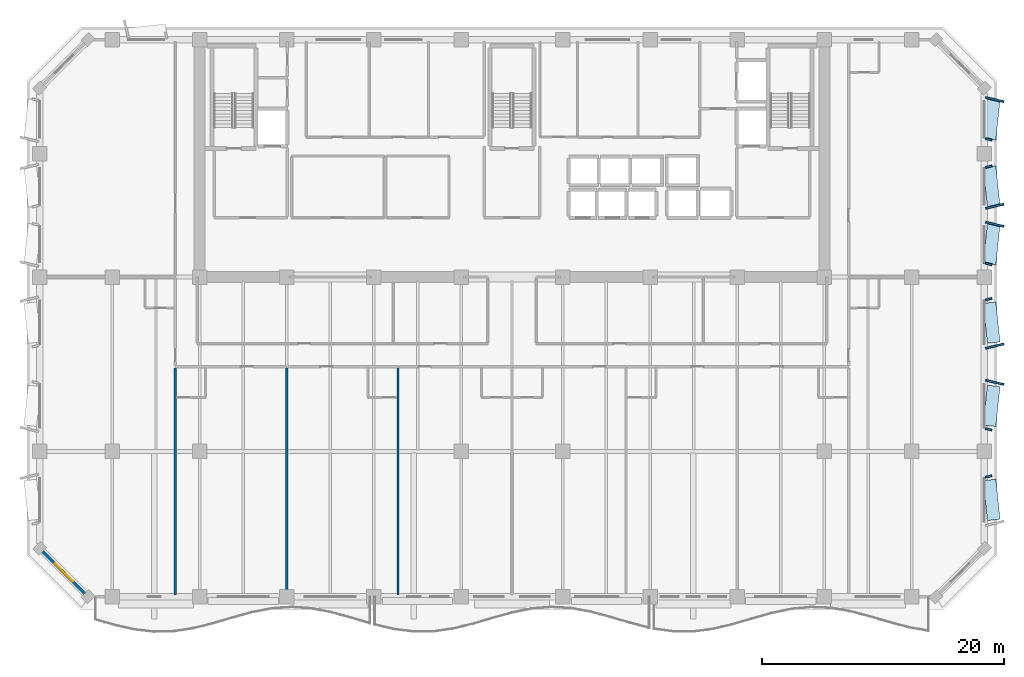
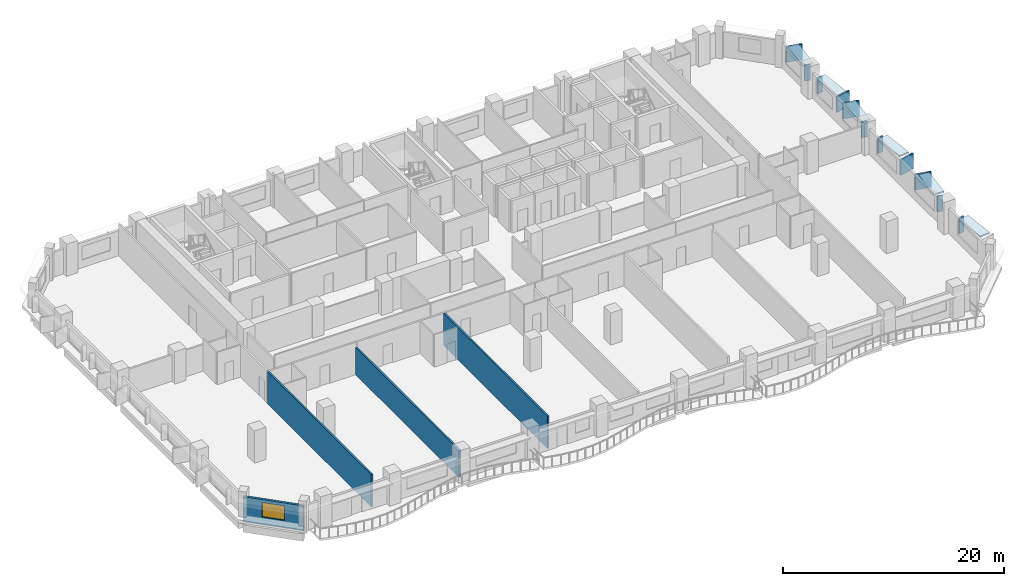
# One storey, part 3 of 14: 17 plates, 4 walls, 1 window, 1 opening.
"""IFC4 building model written with IfcOpenShell, lengths in metres."""

from ifc_helpers import new_model, si_unit, direction, frame, frame_2d, origin, origin_2d, place, context, subcontext, project, spatial, rectangle, extrude, material, layer, layer_set, type_object, element, fill, save


model = new_model("IFC4")

# Units and contexts
model_context = context("Model", 3, precision=1e-05, world=origin(), true_north=direction((0.0, 1.0)))
body_context = subcontext(model_context, "Body", "Model", "MODEL_VIEW")
ifc_project = project(units=[si_unit("LENGTHUNIT", "METRE"), si_unit("AREAUNIT", "SQUARE_METRE"), si_unit("VOLUMEUNIT", "CUBIC_METRE"), si_unit("PLANEANGLEUNIT", "RADIAN"), si_unit("MASSUNIT", "GRAM", prefix="KILO")], contexts=[model_context])

# Site, building, storey
site_placement = place(None, origin())
site = spatial("IfcSite", under=ifc_project, at=site_placement, CompositionType="ELEMENT")
building_placement = place(site_placement, origin())
building = spatial("IfcBuilding", under=site, at=building_placement, Name="Kaelvorn Grand Hotel", CompositionType="ELEMENT")
storey_placement = place(building_placement, frame((0.0, 0.0, 190.14990234375)))
storey = spatial("IfcBuildingStorey", under=building, at=storey_placement, Name="L46", CompositionType="ELEMENT", Elevation=190.14990234375)

# Plates
ifc_material_1 = material(Name="Precast concrete C45/55", Category="concrete")
ifc_layer_1 = layer(ifc_material_1, 0.159912109375)
ifc_layer_set_1 = layer_set([ifc_layer_1], Name="Precast concrete C45/55")
plate_type_1 = type_object("IfcPlateType", Name="PL-FRAME-DEEP-1550", PredefinedType="USERDEFINED", material=ifc_layer_set_1)
for number, where, z_axis, x_axis, name in (
    (1, (81.85498046875, 20.705078125, 0.81494140625), (0.0, 0.0, 1.0), (0.233445363856, 0.972369920398, 0.0), "L46 Tilted Precast Window Frame Fin R-E02"),
    (2, (81.85498046875, 23.695068359375, 0.81494140625), (0.0, 0.0, 1.0), (-0.233445363856, 0.972369920398, 0.0), "L46 Tilted Precast Window Frame Fin L-E03"),
    (3, (81.85498046875, 33.7548828125, 0.740234375), (0.0, 0.0, 1.0), (0.233445363856, 0.972369920398, 0.0), "L46 Tilted Precast Window Frame Fin R-E04"),
    (4, (81.85498046875, 35.2451171875, 0.740234375), (0.0, 0.0, 1.0), (-0.233445363856, 0.972369920398, 0.0), "L46 Tilted Precast Window Frame Fin L-E05"),
    (5, (81.85498046875, 44.054931640625, 0.740234375), (0.0, 0.0, 1.0), (0.233445363856, 0.972369920398, 0.0), "L46 Tilted Precast Window Frame Fin R-E06"),
):
    element("IfcPlate", number, at=place(storey_placement, frame(where, z_axis=z_axis, x_axis=x_axis)), inside=storey, type_object=plate_type_1, Name=name, ObjectType="FLANGE_PLATE", PredefinedType="USERDEFINED", context=body_context, shape_type="SweptSolid", body=[
        extrude(rectangle(XDim=0.159912109375, YDim=1.550048828125, at=origin_2d()), origin(), (0.0, 0.0, 1.0), 1.719970703125),
    ])
ifc_layer_2 = layer(ifc_material_1, 0.159912109375)
ifc_layer_set_2 = layer_set([ifc_layer_2], Name="Precast concrete C45/55")
plate_type_2 = type_object("IfcPlateType", Name="PL-FRAME-HEAD-1050", PredefinedType="USERDEFINED", material=ifc_layer_set_2)
for number, where, z_axis, x_axis, name in (
    (6, (81.60498046875, 11.0, 2.5), (0.0, 0.0, 1.0), (-0.105830199459, 0.994384215926, 0.0), "L46 Precast Window Frame Head Hood H-E01"),
    (7, (81.60498046875, 18.764892578125, 2.5), (0.0, 0.0, 1.0), (0.105830199459, 0.994384215926, 0.0), "L46 Precast Window Frame Head Hood H-E02"),
    (8, (81.60498046875, 25.635009765625, 2.5), (0.0, 0.0, 1.0), (-0.105830199459, 0.994384215926, 0.0), "L46 Precast Window Frame Head Hood H-E03"),
    (9, (81.60498046875, 32.114990234375, 2.35009765625), (0.0, 0.0, 1.0), (0.105830199459, 0.994384215926, 0.0), "L46 Precast Window Frame Head Hood H-E04"),
    (10, (81.60498046875, 36.885009765625, 2.35009765625), (0.0, 0.0, 1.0), (-0.105830199459, 0.994384215926, 0.0), "L46 Precast Window Frame Head Hood H-E05"),
    (11, (81.60498046875, 42.4150390625, 2.35009765625), (0.0, 0.0, 1.0), (0.105830199459, 0.994384215926, 0.0), "L46 Precast Window Frame Head Hood H-E06"),
):
    element("IfcPlate", number, at=place(storey_placement, frame(where, z_axis=z_axis, x_axis=x_axis)), inside=storey, type_object=plate_type_2, Name=name, ObjectType="FLANGE_PLATE", PredefinedType="USERDEFINED", context=body_context, shape_type="SweptSolid", body=[
        extrude(rectangle(XDim=3.320068359375, YDim=1.050048828125, at=origin_2d()), origin(), (0.0, 0.0, 1.0), 0.159912109375),
    ])
ifc_layer_3 = layer(ifc_material_1, 0.159912109375)
ifc_layer_set_3 = layer_set([ifc_layer_3], Name="Precast concrete C45/55")
plate_type_3 = type_object("IfcPlateType", Name="PL-FRAME-SHAL-550", PredefinedType="USERDEFINED", material=ifc_layer_set_3)
for number, where, z_axis, x_axis, name in (
    (12, (81.35498046875, 12.93994140625, 0.81494140625), (0.0, 0.0, 1.0), (-0.233445363856, 0.972369920398, 0.0), "L46 Tilted Precast Window Frame Fin R-E01"),
    (13, (81.35498046875, 16.824951171875, 0.81494140625), (0.0, 0.0, 1.0), (0.233445363856, 0.972369920398, 0.0), "L46 Tilted Precast Window Frame Fin L-E02"),
    (14, (81.35498046875, 27.574951171875, 0.81494140625), (0.0, 0.0, 1.0), (-0.233445363856, 0.972369920398, 0.0), "L46 Tilted Precast Window Frame Fin R-E03"),
    (15, (81.35498046875, 30.47509765625, 0.740234375), (0.0, 0.0, 1.0), (0.233445363856, 0.972369920398, 0.0), "L46 Tilted Precast Window Frame Fin L-E04"),
    (16, (81.35498046875, 38.52490234375, 0.740234375), (0.0, 0.0, 1.0), (-0.233445363856, 0.972369920398, 0.0), "L46 Tilted Precast Window Frame Fin R-E05"),
    (17, (81.35498046875, 40.77490234375, 0.740234375), (0.0, 0.0, 1.0), (0.233445363856, 0.972369920398, 0.0), "L46 Tilted Precast Window Frame Fin L-E06"),
):
    element("IfcPlate", number, at=place(storey_placement, frame(where, z_axis=z_axis, x_axis=x_axis)), inside=storey, type_object=plate_type_3, Name=name, ObjectType="FLANGE_PLATE", PredefinedType="USERDEFINED", context=body_context, shape_type="SweptSolid", body=[
        extrude(rectangle(XDim=0.159912109375, YDim=0.550048828125, at=origin_2d()), origin(), (0.0, 0.0, 1.0), 1.719970703125),
    ])

# Wall, opening, window
ifc_material_2 = material(Name="Concrete C40/50", Category="concrete")
ifc_layer_4 = layer(ifc_material_2, 0.239990234375)
ifc_layer_set_4 = layer_set([ifc_layer_4], Name="Concrete C40/50")
wall_type_1 = type_object("IfcWallType", Name="WL-EXT-240-C40", PredefinedType="SOLIDWALL", material=ifc_layer_set_4)
wall_1_placement = place(storey_placement, frame((3.0, 7.0, 0.0), z_axis=(0.0, 0.0, 1.0), x_axis=(0.707106781187, -0.707106781187, 0.0)))
wall_1 = element("IfcWall", 18, at=wall_1_placement, inside=storey, type_object=wall_type_1, Name="L46 Exterior Architectural Concrete Wall 08", PredefinedType="SOLIDWALL", context=body_context, shape_type="SweptSolid", body=[
    extrude(rectangle(XDim=5.65673828125, YDim=0.239990234375, at=frame_2d((2.828369140625, 0.0))), origin(), (0.0, 0.0, 1.0), 2.760009765625),
])
opening_placement = place(wall_1_placement, frame((1.7783203125, 0.0, 0.85009765625)))
opening = element("IfcOpeningElement", 19, at=opening_placement, cuts=wall_1, Name="Opening W7", PredefinedType="OPENING", context=body_context, shape_type="SweptSolid", body=[
    extrude(rectangle(XDim=2.10009765625, YDim=1.60009765625, at=frame_2d((1.050048828125, 0.800048828125))), frame((0.0, 0.1298828125, 0.0), z_axis=(0.0, -1.0, 0.0), x_axis=(1.0, 0.0, 0.0)), (0.0, 0.0, 1.0), 0.260009765625),
])
ifc_material_3 = material(Name="Laminated Low-E Glass", Category="glass")
window_type = type_object("IfcWindowType", Name="WIN-CHM-2100x1600", PartitioningType="SINGLE_PANEL", PredefinedType="WINDOW", material=ifc_material_3)
window_placement = place(opening_placement, origin())
window = element("IfcWindow", 20, at=window_placement, inside=storey, type_object=window_type, Name="L46 Chamfered 45-Degree Corner Window SW", OverallHeight=1.60009765625, OverallWidth=2.10009765625, PartitioningType="SINGLE_PANEL", PredefinedType="WINDOW", context=body_context, shape_type="SweptSolid", body=[
    extrude(rectangle(XDim=2.10009765625, YDim=1.60009765625, at=frame_2d((1.050048828125, 0.800048828125))), frame((0.0, 0.030029296875, 0.0), z_axis=(0.0, -1.0, 0.0), x_axis=(1.0, 0.0, 0.0)), (0.0, 0.0, 1.0), 0.06005859375),
])
fill(opening, window)

# Walls
ifc_material_4 = material(Name="Acoustic Gypsum & Stud Partition")
ifc_layer_5 = layer(ifc_material_4, 0.179931640625)
ifc_layer_set_5 = layer_set([ifc_layer_5], Name="Acoustic Gypsum & Stud Partition")
wall_type_2 = type_object("IfcWallType", Name="WL-PART-180-EI60", PredefinedType="PARTITIONING", material=ifc_layer_set_5)
wall_2_placement = place(storey_placement, frame((14.199951171875, 3.14990234375, 0.0), z_axis=(0.0, 0.0, 1.0), x_axis=(0.0, 1.0, 0.0)))
element("IfcWall", 21, at=wall_2_placement, inside=storey, type_object=wall_type_2, Name="L46 Mid-Rise Signature Suite L46-01 W Partition", PredefinedType="PARTITIONING", context=body_context, shape_type="SweptSolid", body=[
    extrude(rectangle(XDim=18.755126953125, YDim=0.179931640625, at=frame_2d((9.37744140625, 0.0))), origin(), (0.0, 0.0, 1.0), 3.56005859375),
])
wall_3_placement = place(storey_placement, frame((23.3955078125, 3.14990234375, 0.0), z_axis=(0.0, 0.0, 1.0), x_axis=(0.0, 1.0, 0.0)))
element("IfcWall", 22, at=wall_3_placement, inside=storey, type_object=wall_type_2, Name="L46 Mid-Rise Signature Suite L46-01 E Partition", PredefinedType="PARTITIONING", context=body_context, shape_type="SweptSolid", body=[
    extrude(rectangle(XDim=18.755126953125, YDim=0.179931640625, at=frame_2d((9.37744140625, 0.0))), origin(), (0.0, 0.0, 1.0), 3.010009765625),
])
wall_4_placement = place(storey_placement, frame((32.5908203125, 3.14990234375, 0.0), z_axis=(0.0, 0.0, 1.0), x_axis=(0.0, 1.0, 0.0)))
element("IfcWall", 23, at=wall_4_placement, inside=storey, type_object=wall_type_2, Name="L46 Mid-Rise Signature Suite L46-02 E Partition", PredefinedType="PARTITIONING", context=body_context, shape_type="SweptSolid", body=[
    extrude(rectangle(XDim=18.755126953125, YDim=0.179931640625, at=frame_2d((9.37744140625, 0.0))), origin(), (0.0, 0.0, 1.0), 3.56005859375),
])

save(model, "model.ifc")
